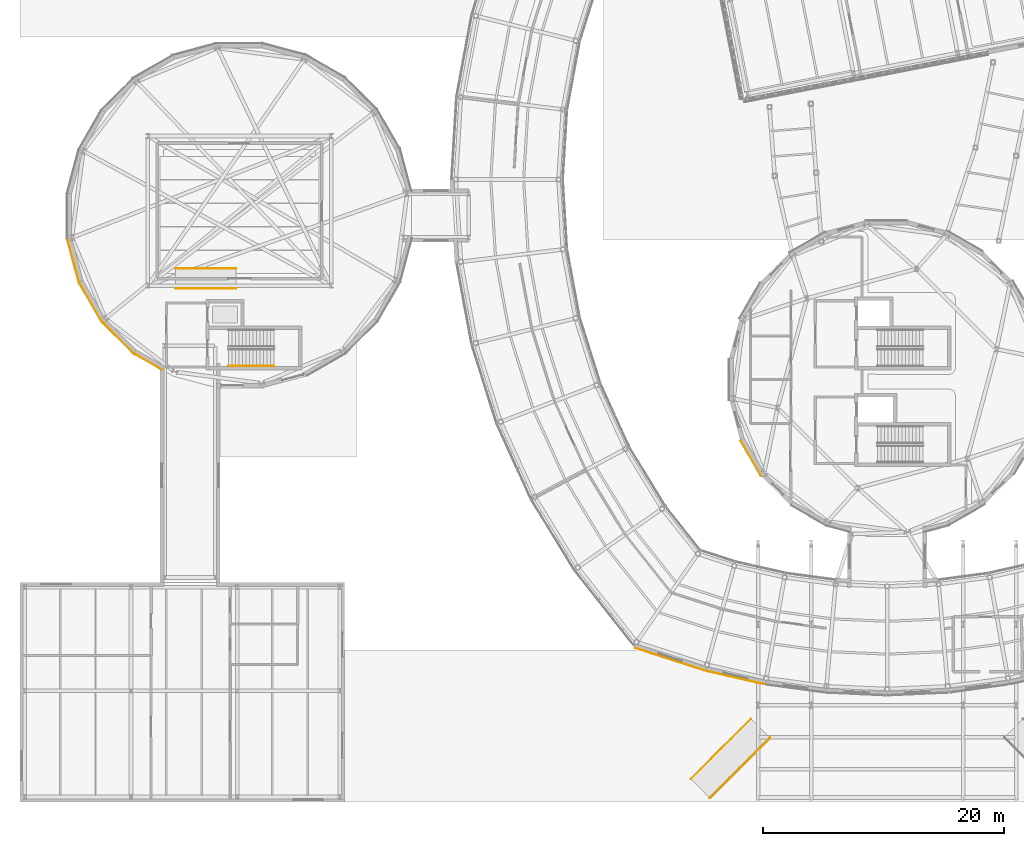
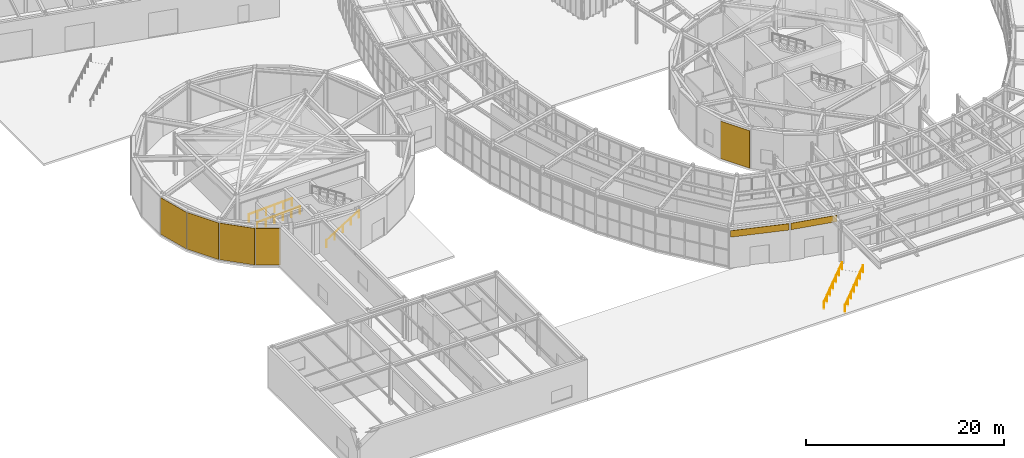
# One storey, part 83 of 97: 7 coverings, 5 railings.
"""IFC4 building model written with IfcOpenShell, lengths in metres."""

from ifc_helpers import new_model, si_unit, direction, frame, origin, origin_2d, place, context, subcontext, project, spatial, rectangle, circle, extrude, material, layer, layer_set, type_object, element, save


model = new_model("IFC4")

# Units and contexts
model_context = context("Model", 3, precision=1e-05, world=origin(), true_north=direction((0.0, 1.0)))
body_context = subcontext(model_context, "Body", "Model", "MODEL_VIEW")
ifc_project = project(units=[si_unit("LENGTHUNIT", "METRE"), si_unit("AREAUNIT", "SQUARE_METRE"), si_unit("VOLUMEUNIT", "CUBIC_METRE"), si_unit("PLANEANGLEUNIT", "RADIAN"), si_unit("MASSUNIT", "GRAM", prefix="KILO")], contexts=[model_context])

# Site, building, storey
site_placement = place(None, origin())
site = spatial("IfcSite", under=ifc_project, at=site_placement, CompositionType="ELEMENT")
building_placement = place(site_placement, origin())
building = spatial("IfcBuilding", under=site, at=building_placement, Name="Varnklinge Art Gallery", CompositionType="ELEMENT")
storey_placement = place(building_placement, origin())
storey = spatial("IfcBuildingStorey", under=building, at=storey_placement, Name="L00", CompositionType="ELEMENT", Elevation=0.0)

# Coverings
ifc_material_1 = material(Name="Oxide Terracotta Panel", Category="masonry")
ifc_layer_1 = layer(ifc_material_1, 0.034912109375)
ifc_layer_set_1 = layer_set([ifc_layer_1], Name="Oxide Terracotta Panel")
covering_type_1 = type_object("IfcCoveringType", Name="CLD-TER", PredefinedType="CLADDING", material=ifc_layer_set_1)
covering_1_placement = place(storey_placement, frame((14.2333984375, 39.86279296875, 0.14990234375), z_axis=(0.0, 0.0, 1.0), x_axis=(-0.866025403784, 0.5, 0.0)))
element("IfcCovering", 1, at=covering_1_placement, inside=storey, type_object=covering_type_1, Name="L00 Oxide Terracotta Drum Cladding EW-V3-L00-07", PredefinedType="CLADDING", context=body_context, shape_type="SweptSolid", body=[
    extrude(rectangle(XDim=2.543212890625, YDim=0.034912109375, at=origin_2d()), origin(), (0.0, 0.0, 1.0), 4.52001953125),
])
covering_2_placement = place(storey_placement, frame((11.756103515625, 41.82861328125, 0.14990234375), z_axis=(0.0, 0.0, 1.0), x_axis=(-0.707106781187, 0.707106781187, 0.0)))
element("IfcCovering", 2, at=covering_2_placement, inside=storey, type_object=covering_type_1, Name="L00 Oxide Terracotta Drum Cladding EW-V3-L00-08", PredefinedType="CLADDING", context=body_context, shape_type="SweptSolid", body=[
    extrude(rectangle(XDim=3.691650390625, YDim=0.034912109375, at=origin_2d()), origin(), (0.0, 0.0, 1.0), 4.52001953125),
])
covering_3_placement = place(storey_placement, frame((9.4658203125, 44.77490234375, 0.14990234375), z_axis=(0.0, 0.0, 1.0), x_axis=(-0.5, 0.866025403784, 0.0)))
element("IfcCovering", 3, at=covering_3_placement, inside=storey, type_object=covering_type_1, Name="L00 Oxide Terracotta Drum Cladding EW-V3-L00-09", PredefinedType="CLADDING", context=body_context, shape_type="SweptSolid", body=[
    extrude(rectangle(XDim=3.69189453125, YDim=0.034912109375, at=origin_2d()), origin(), (0.0, 0.0, 1.0), 4.52001953125),
])
covering_4_placement = place(storey_placement, frame((8.01611328125, 48.21337890625, 0.14990234375), z_axis=(0.0, 0.0, 1.0), x_axis=(-0.258819045103, 0.965925826289, 0.0)))
element("IfcCovering", 4, at=covering_4_placement, inside=storey, type_object=covering_type_1, Name="L00 Oxide Terracotta Drum Cladding EW-V3-L00-10", PredefinedType="CLADDING", context=body_context, shape_type="SweptSolid", body=[
    extrude(rectangle(XDim=3.691650390625, YDim=0.034912109375, at=origin_2d()), origin(), (0.0, 0.0, 1.0), 4.52001953125),
])
ifc_material_2 = material(Name="Precast concrete C40/50", Category="concrete")
ifc_layer_2 = layer(ifc_material_2, 0.0400390625)
ifc_layer_set_2 = layer_set([ifc_layer_2], Name="Precast concrete C40/50")
covering_type_2 = type_object("IfcCoveringType", Name="CLD-WHT", PredefinedType="CLADDING", material=ifc_layer_set_2)
covering_5_placement = place(storey_placement, frame((57.447998046875, 15.2177734375, 3.830078125), z_axis=(0.0, 0.0, 1.0), x_axis=(0.951272019071, -0.30835295642, 0.0)))
element("IfcCovering", 5, at=covering_5_placement, inside=storey, type_object=covering_type_2, Name="L00 White Precast Foyer Fascia 32", PredefinedType="CLADDING", context=body_context, shape_type="SweptSolid", body=[
    extrude(rectangle(XDim=6.052490234375, YDim=0.0400390625, at=origin_2d()), origin(), (0.0, 0.0, 1.0), 0.800048828125),
])
covering_6_placement = place(storey_placement, frame((62.907470703125, 13.6875, 3.830078125), z_axis=(0.0, 0.0, 1.0), x_axis=(0.975071959883, -0.221888875454, 0.0)))
element("IfcCovering", 6, at=covering_6_placement, inside=storey, type_object=covering_type_2, Name="L00 White Precast Foyer Fascia 33", PredefinedType="CLADDING", context=body_context, shape_type="SweptSolid", body=[
    extrude(rectangle(XDim=4.866455078125, YDim=0.0400390625, at=origin_2d()), origin(), (0.0, 0.0, 1.0), 0.800048828125),
])
ifc_material_3 = material(Name="Pre-weathered Zinc", Category="metal")
ifc_layer_3 = layer(ifc_material_3, 0.02490234375)
ifc_layer_set_3 = layer_set([ifc_layer_3], Name="Pre-weathered Zinc")
covering_type_3 = type_object("IfcCoveringType", Name="CLD-ZNC", PredefinedType="CLADDING", material=ifc_layer_set_3)
covering_7_placement = place(storey_placement, frame((64.200439453125, 31.872314453125, 0.02734375), z_axis=(0.0, 0.0, 1.0), x_axis=(-0.5, 0.866025403784, 0.0)))
element("IfcCovering", 7, at=covering_7_placement, inside=storey, type_object=covering_type_3, Name="L00 Brushed Zinc Drum Cladding EW-V4D-L00-10", PredefinedType="CLADDING", context=body_context, shape_type="SweptSolid", body=[
    extrude(rectangle(XDim=3.398681640625, YDim=0.02490234375, at=origin_2d()), origin(), (0.0, 0.0, 1.0), 4.6298828125),
])

# Railings
ifc_material_4 = material(Name="Steel S355", Category="steel")
railing_type = type_object("IfcRailingType", Name="HR-01", PredefinedType="HANDRAIL", material=ifc_material_4)
railing_placement = place(storey_placement, frame((20.89990234375, 39.550048828125, 0.18212890625)))
element("IfcRailing", 8, at=railing_placement, inside=storey, type_object=railing_type, Name="L00 ST-06 stair handrail 1", PredefinedType="HANDRAIL", context=body_context, shape_type="SweptSolid", body=[
    extrude(circle(Radius=0.02392578125, at=origin_2d()), frame((0.0, 0.0, 0.8759765625), z_axis=(0.846819337722, 0.0, 0.53188063441), x_axis=(0.0, 1.0, 0.0)), (0.0, 0.0, 1.0), 4.451904296875),
    extrude(circle(Radius=0.02099609375, at=origin_2d()), origin(), (0.0, 0.0, 1.0), 0.851806640625),
    extrude(circle(Radius=0.02099609375, at=origin_2d()), frame((0.9423828125, 0.0, 0.592041015625)), (0.0, 0.0, 1.0), 0.851806640625),
    extrude(circle(Radius=0.02099609375, at=origin_2d()), frame((1.885009765625, 0.0, 1.18408203125)), (0.0, 0.0, 1.0), 0.851806640625),
    extrude(circle(Radius=0.02099609375, at=origin_2d()), frame((2.82763671875, 0.0, 1.77587890625)), (0.0, 0.0, 1.0), 0.851806640625),
    extrude(circle(Radius=0.02099609375, at=origin_2d()), frame((3.77001953125, 0.0, 2.367919921875)), (0.0, 0.0, 1.0), 0.851806640625),
])
for number, where, name in (
    (9, (60.780517578125, 3.719482421875, -0.10009765625), "L00 South Forecourt West Barrier-Free Ramp Handrail L"),
    (10, (59.219482421875, 5.280517578125, -0.10009765625), "L00 South Forecourt West Barrier-Free Ramp Handrail R"),
):
    element("IfcRailing", number, at=place(storey_placement, frame(where)), inside=storey, type_object=railing_type, Name=name, PredefinedType="HANDRAIL", context=body_context, shape_type="SweptSolid", body=[
        extrude(circle(Radius=0.02392578125, at=origin_2d()), frame((0.0, 0.0, 0.89599609375), z_axis=(0.707035942981, 0.707035942981, 0.014154528155), x_axis=(-0.707106781187, 0.707106781187, 0.0)), (0.0, 0.0, 1.0), 7.07177734375),
        extrude(circle(Radius=0.02099609375, at=origin_2d()), origin(), (0.0, 0.0, 1.0), 0.871826171875),
        extrude(circle(Radius=0.02099609375, at=origin_2d()), frame((0.833251953125, 0.833251953125, 0.0166015625)), (0.0, 0.0, 1.0), 0.871826171875),
        extrude(circle(Radius=0.02099609375, at=origin_2d()), frame((1.666748046875, 1.666748046875, 0.033447265625)), (0.0, 0.0, 1.0), 0.871826171875),
        extrude(circle(Radius=0.02099609375, at=origin_2d()), frame((2.5, 2.5, 0.050048828125)), (0.0, 0.0, 1.0), 0.871826171875),
        extrude(circle(Radius=0.02099609375, at=origin_2d()), frame((3.333251953125, 3.333251953125, 0.066650390625)), (0.0, 0.0, 1.0), 0.871826171875),
        extrude(circle(Radius=0.02099609375, at=origin_2d()), frame((4.166748046875, 4.166748046875, 0.08349609375)), (0.0, 0.0, 1.0), 0.871826171875),
        extrude(circle(Radius=0.02099609375, at=origin_2d()), frame((5.0, 5.0, 0.10009765625)), (0.0, 0.0, 1.0), 0.871826171875),
    ])
for number, where, name in (
    (11, (16.5, 45.971923828125, 0.0), "L00 Auditorium Lower Tier Accessible Ramp Handrail L"),
    (12, (16.5, 47.6279296875, 0.0), "L00 Auditorium Lower Tier Accessible Ramp Handrail R"),
):
    element("IfcRailing", number, at=place(storey_placement, frame(where)), inside=storey, type_object=railing_type, Name=name, PredefinedType="HANDRAIL", context=body_context, shape_type="SweptSolid", body=[
        extrude(circle(Radius=0.02392578125, at=origin_2d()), frame((0.0, 0.0, 0.89599609375), z_axis=(0.999033660321, 0.0, 0.043951627341), x_axis=(0.0, 1.0, 0.0)), (0.0, 0.0, 1.0), 5.0048828125),
        extrude(circle(Radius=0.02099609375, at=origin_2d()), origin(), (0.0, 0.0, 1.0), 0.871826171875),
        extrude(circle(Radius=0.02099609375, at=origin_2d()), frame((1.0, 0.0, 0.0439453125)), (0.0, 0.0, 1.0), 0.871826171875),
        extrude(circle(Radius=0.02099609375, at=origin_2d()), frame((2.0, 0.0, 0.087890625)), (0.0, 0.0, 1.0), 0.871826171875),
        extrude(circle(Radius=0.02099609375, at=origin_2d()), frame((3.0, 0.0, 0.132080078125)), (0.0, 0.0, 1.0), 0.871826171875),
        extrude(circle(Radius=0.02099609375, at=origin_2d()), frame((4.0, 0.0, 0.176025390625)), (0.0, 0.0, 1.0), 0.871826171875),
        extrude(circle(Radius=0.02099609375, at=origin_2d()), frame((5.0, 0.0, 0.219970703125)), (0.0, 0.0, 1.0), 0.871826171875),
    ])

save(model, "model.ifc")
